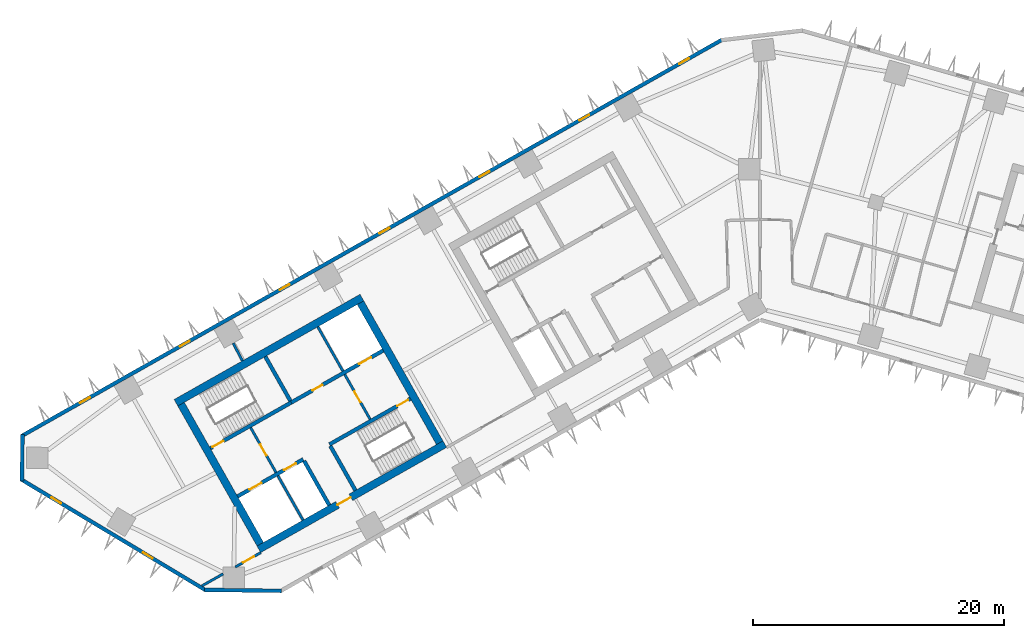
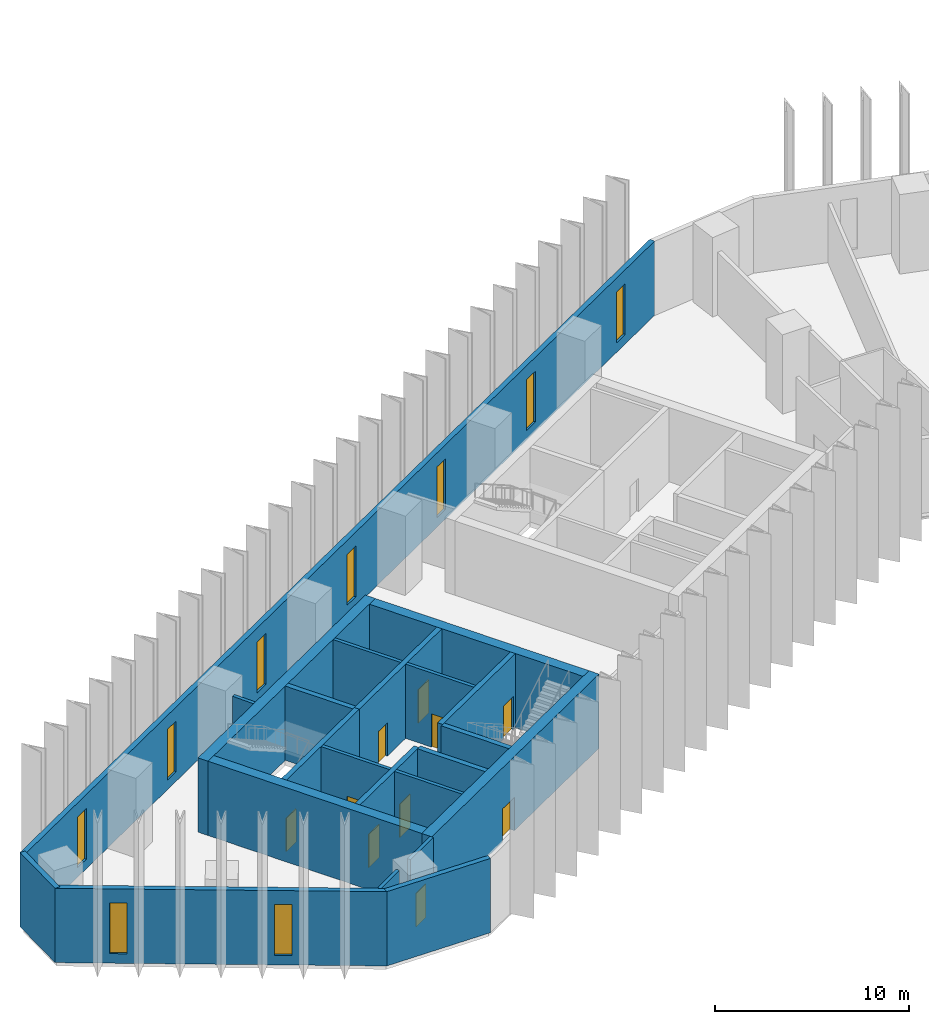
# One storey, part 3 of 11: 22 walls, 10 doors, 9 windows, 19 openings.
"""IFC4 building model written with IfcOpenShell, lengths in metres."""

from ifc_helpers import new_model, si_unit, direction, frame, frame_2d, origin, place, context, subcontext, project, spatial, rectangle, extrude, material, layer, layer_set, type_object, element, fill, save


model = new_model("IFC4")

# Units and contexts
model_context = context("Model", 3, precision=1e-05, world=origin(), true_north=direction((0.0, 1.0)))
body_context = subcontext(model_context, "Body", "Model", "MODEL_VIEW")
ifc_project = project(units=[si_unit("LENGTHUNIT", "METRE"), si_unit("AREAUNIT", "SQUARE_METRE"), si_unit("VOLUMEUNIT", "CUBIC_METRE"), si_unit("PLANEANGLEUNIT", "RADIAN"), si_unit("MASSUNIT", "GRAM", prefix="KILO")], contexts=[model_context])

# Site, building, storey
site_placement = place(None, origin())
site = spatial("IfcSite", under=ifc_project, at=site_placement, CompositionType="ELEMENT")
building_placement = place(site_placement, origin())
building = spatial("IfcBuilding", under=site, at=building_placement, Name="Binnacle Exchange Tower", CompositionType="ELEMENT")
storey_placement = place(building_placement, frame((0.0, 0.0, 76.5)))
storey = spatial("IfcBuildingStorey", under=building, at=storey_placement, Name="L15", CompositionType="ELEMENT", Elevation=76.5)

# Wall, openings, doors
ifc_material_1 = material(Name="Concrete C70/85", Category="concrete")
ifc_layer_1 = layer(ifc_material_1, 0.300048828125)
ifc_layer_set_1 = layer_set([ifc_layer_1], Name="Core wall - front 300")
wall_type_1 = type_object("IfcWallType", Name="Core wall - front 300", PredefinedType="SOLIDWALL", material=ifc_layer_set_1)
wall_1_placement = place(storey_placement, frame((-41.555908203125, 33.9609375, 0.0), z_axis=(0.0, 0.0, 1.0), x_axis=(0.870343731308, 0.492444706919, 0.0)))
wall_1 = element("IfcWall", 1, at=wall_1_placement, inside=storey, type_object=wall_type_1, Name="Core wall CRWA2", PredefinedType="SOLIDWALL", context=body_context, shape_type="SweptSolid", body=[
    extrude(rectangle(XDim=5.999755859375, YDim=0.300048828125, at=frame_2d((3.0, 0.0))), origin(), (0.0, 0.0, 1.0), 4.679931640625),
])
opening_1_placement = place(wall_1_placement, frame((1.099853515625, 0.0, 0.0)))
opening_1 = element("IfcOpeningElement", 2, at=opening_1_placement, cuts=wall_1, Name="Opening LD12", PredefinedType="OPENING", context=body_context, shape_type="SweptSolid", body=[
    extrude(rectangle(XDim=1.10009765625, YDim=2.10009765625, at=frame_2d((0.550048828125, 1.050048828125))), frame((0.0, 0.159912109375, 0.0), z_axis=(0.0, -1.0, 0.0), x_axis=(1.0, 0.0, 0.0)), (0.0, 0.0, 1.0), 0.320068359375),
])
opening_2_placement = place(wall_1_placement, frame((4.25, 0.0, 0.0)))
opening_2 = element("IfcOpeningElement", 3, at=opening_2_placement, cuts=wall_1, Name="Opening LD8", PredefinedType="OPENING", context=body_context, shape_type="SweptSolid", body=[
    extrude(rectangle(XDim=1.10009765625, YDim=2.10009765625, at=frame_2d((0.550048828125, 1.050048828125))), frame((0.0, 0.159912109375, 0.0), z_axis=(0.0, -1.0, 0.0), x_axis=(1.0, 0.0, 0.0)), (0.0, 0.0, 1.0), 0.320068359375),
])
ifc_material_2 = material(Name="Steel door leaf", Category="steel")
door_type_1 = type_object("IfcDoorType", Name="Fire door - lift landing 1100", OperationType="NOTDEFINED", PredefinedType="DOOR", material=ifc_material_2)
door_1_placement = place(opening_1_placement, origin())
door_1 = element("IfcDoor", 4, at=door_1_placement, inside=storey, type_object=door_type_1, Name="Landing door LD12 L15", OperationType="DOUBLE_DOOR_SLIDING", OverallHeight=2.10009765625, OverallWidth=1.10009765625, PredefinedType="DOOR", context=body_context, shape_type="SweptSolid", body=[
    extrude(rectangle(XDim=1.10009765625, YDim=2.10009765625, at=frame_2d((0.550048828125, 1.050048828125))), frame((0.0, 0.02490234375, 0.0), z_axis=(0.0, -1.0, 0.0), x_axis=(1.0, 0.0, 0.0)), (0.0, 0.0, 1.0), 0.050048828125),
])
fill(opening_1, door_1)
door_2_placement = place(opening_2_placement, origin())
door_2 = element("IfcDoor", 5, at=door_2_placement, inside=storey, type_object=door_type_1, Name="Landing door LD8 L15", OperationType="DOUBLE_DOOR_SLIDING", OverallHeight=2.10009765625, OverallWidth=1.10009765625, PredefinedType="DOOR", context=body_context, shape_type="SweptSolid", body=[
    extrude(rectangle(XDim=1.10009765625, YDim=2.10009765625, at=frame_2d((0.550048828125, 1.050048828125))), frame((0.0, 0.02490234375, 0.0), z_axis=(0.0, -1.0, 0.0), x_axis=(1.0, 0.0, 0.0)), (0.0, 0.0, 1.0), 0.050048828125),
])
fill(opening_2, door_2)

wall_2_placement = place(storey_placement, frame((-37.281982421875, 41.4345703125, 0.0), z_axis=(0.0, 0.0, 1.0), x_axis=(0.870356516133, 0.492422110414, 0.0)))
wall_2 = element("IfcWall", 6, at=wall_2_placement, inside=storey, type_object=wall_type_1, Name="Core wall CRWA5", PredefinedType="SOLIDWALL", context=body_context, shape_type="SweptSolid", body=[
    extrude(rectangle(XDim=8.399658203125, YDim=0.300048828125, at=frame_2d((4.19970703125, 0.0))), origin(), (0.0, 0.0, 1.0), 4.679931640625),
])
opening_3_placement = place(wall_2_placement, frame((6.199951171875, 0.0, 0.0)))
opening_3 = element("IfcOpeningElement", 7, at=opening_3_placement, cuts=wall_2, Name="Opening LD13", PredefinedType="OPENING", context=body_context, shape_type="SweptSolid", body=[
    extrude(rectangle(XDim=1.10009765625, YDim=2.10009765625, at=frame_2d((0.550048828125, 1.050048828125))), frame((0.0, 0.159912109375, 0.0), z_axis=(0.0, -1.0, 0.0), x_axis=(1.0, 0.0, 0.0)), (0.0, 0.0, 1.0), 0.320068359375),
])
opening_4_placement = place(wall_2_placement, frame((1.949951171875, 0.0, 0.0)))
opening_4 = element("IfcOpeningElement", 8, at=opening_4_placement, cuts=wall_2, Name="Opening DA10", PredefinedType="OPENING", context=body_context, shape_type="SweptSolid", body=[
    extrude(rectangle(XDim=0.89990234375, YDim=2.10009765625, at=frame_2d((0.449951171875, 1.050048828125))), frame((0.0, 0.159912109375, 0.0), z_axis=(0.0, -1.0, 0.0), x_axis=(1.0, 0.0, 0.0)), (0.0, 0.0, 1.0), 0.320068359375),
])
door_3_placement = place(opening_3_placement, origin())
door_3 = element("IfcDoor", 9, at=door_3_placement, inside=storey, type_object=door_type_1, Name="Landing door LD13 L15", OperationType="DOUBLE_DOOR_SLIDING", OverallHeight=2.10009765625, OverallWidth=1.10009765625, PredefinedType="DOOR", context=body_context, shape_type="SweptSolid", body=[
    extrude(rectangle(XDim=1.10009765625, YDim=2.10009765625, at=frame_2d((0.550048828125, 1.050048828125))), frame((0.0, 0.02490234375, 0.0), z_axis=(0.0, -1.0, 0.0), x_axis=(1.0, 0.0, 0.0)), (0.0, 0.0, 1.0), 0.050048828125),
])
fill(opening_3, door_3)
door_type_2 = type_object("IfcDoorType", Name="Fire door 900", OperationType="NOTDEFINED", PredefinedType="DOOR", material=ifc_material_2)
door_4_placement = place(opening_4_placement, origin())
door_4 = element("IfcDoor", 10, at=door_4_placement, inside=storey, type_object=door_type_2, Name="Core room door TELECOM RISER ROOM", OperationType="SINGLE_SWING_LEFT", OverallHeight=2.10009765625, OverallWidth=0.89990234375, PredefinedType="DOOR", context=body_context, shape_type="SweptSolid", body=[
    extrude(rectangle(XDim=0.89990234375, YDim=2.10009765625, at=frame_2d((0.449951171875, 1.050048828125))), frame((0.0, 0.02490234375, 0.0), z_axis=(0.0, -1.0, 0.0), x_axis=(1.0, 0.0, 0.0)), (0.0, 0.0, 1.0), 0.050048828125),
])
fill(opening_4, door_4)

# Wall
wall_3_placement = place(storey_placement, frame((-36.260009765625, 36.784912109375, 0.0), z_axis=(0.0, 0.0, 1.0), x_axis=(0.492440575896, -0.870346068648, 0.0)))
element("IfcWall", 11, at=wall_3_placement, inside=storey, type_object=wall_type_1, Name="Core wall CRWA13", PredefinedType="SOLIDWALL", context=body_context, shape_type="SweptSolid", body=[
    extrude(rectangle(XDim=4.050048828125, YDim=0.300048828125, at=frame_2d((2.02490234375, 0.0))), origin(), (0.0, 0.0, 1.0), 4.679931640625),
])

# Wall, opening, door
ifc_layer_2 = layer(ifc_material_1, 0.60009765625)
ifc_layer_set_2 = layer_set([ifc_layer_2], Name="Core wall - outer 600")
wall_type_2 = type_object("IfcWallType", Name="Core wall - outer 600", PredefinedType="SOLIDWALL", material=ifc_layer_set_2)
wall_4_placement = place(storey_placement, frame((-39.8623046875, 29.748779296875, 0.0), z_axis=(0.0, 0.0, 1.0), x_axis=(0.870350116061, 0.492433422375, 0.0)))
wall_4 = element("IfcWall", 12, at=wall_4_placement, inside=storey, type_object=wall_type_2, Name="Core wall CRWA1", PredefinedType="SOLIDWALL", context=body_context, shape_type="SweptSolid", body=[
    extrude(rectangle(XDim=17.0, YDim=0.60009765625, at=frame_2d((8.5, 0.0))), origin(), (0.0, 0.0, 1.0), 4.679931640625),
])
opening_5_placement = place(wall_4_placement, frame((7.199951171875, 0.0, 0.0)))
opening_5 = element("IfcOpeningElement", 13, at=opening_5_placement, cuts=wall_4, Name="Opening DA7", PredefinedType="OPENING", context=body_context, shape_type="SweptSolid", body=[
    extrude(rectangle(XDim=1.199951171875, YDim=2.10009765625, at=frame_2d((0.60009765625, 1.050048828125))), frame((0.0, 0.31005859375, 0.0), z_axis=(0.0, -1.0, 0.0), x_axis=(1.0, 0.0, 0.0)), (0.0, 0.0, 1.0), 0.6201171875),
])
door_type_3 = type_object("IfcDoorType", Name="Fire door 1200", OperationType="NOTDEFINED", PredefinedType="DOOR", material=ifc_material_2)
door_5_placement = place(opening_5_placement, frame((1.199951171875, 0.0, 0.0), z_axis=(0.0, 0.0, 1.0), x_axis=(-1.0, 0.0, 0.0)))
door_5 = element("IfcDoor", 14, at=door_5_placement, inside=storey, type_object=door_type_3, Name="Lift lobby entrance door core A", OperationType="SINGLE_SWING_RIGHT", OverallHeight=2.10009765625, OverallWidth=1.199951171875, PredefinedType="DOOR", context=body_context, shape_type="SweptSolid", body=[
    extrude(rectangle(XDim=1.199951171875, YDim=2.10009765625, at=frame_2d((0.60009765625, 1.050048828125))), frame((0.0, 0.02490234375, 0.0), z_axis=(0.0, -1.0, 0.0), x_axis=(1.0, 0.0, 0.0)), (0.0, 0.0, 1.0), 0.050048828125),
])
fill(opening_5, door_5)

# Walls
wall_5_placement = place(storey_placement, frame((-46.460693359375, 41.41162109375, 0.0), z_axis=(0.0, 0.0, 1.0), x_axis=(0.870350116061, 0.492433422375, 0.0)))
element("IfcWall", 15, at=wall_5_placement, inside=storey, type_object=wall_type_2, Name="Core wall CRWA6", PredefinedType="SOLIDWALL", context=body_context, shape_type="SweptSolid", body=[
    extrude(rectangle(XDim=17.0, YDim=0.60009765625, at=frame_2d((8.5, 0.0))), origin(), (0.0, 0.0, 1.0), 4.679931640625),
])
for number, where, z_axis, x_axis, name in (
    (16, (-46.052001953125, 41.29833984375, 0.0), (0.0, 0.0, 1.0), (0.492418598281, -0.870358503186, 0.0), "Core wall CRWA7"),
    (17, (-31.7783203125, 49.3740234375, 0.0), (0.0, 0.0, 1.0), (0.492433046652, -0.870350328641, 0.0), "Core wall CRWA22"),
):
    element("IfcWall", number, at=place(storey_placement, frame(where, z_axis=z_axis, x_axis=x_axis)), inside=storey, type_object=wall_type_2, Name=name, PredefinedType="SOLIDWALL", context=body_context, shape_type="SweptSolid", body=[
        extrude(rectangle(XDim=12.800048828125, YDim=0.60009765625, at=frame_2d((6.39990234375, 0.0))), origin(), (0.0, 0.0, 1.0), 4.679931640625),
    ])

# Wall, opening, door
ifc_layer_3 = layer(ifc_material_1, 0.300048828125)
ifc_layer_set_3 = layer_set([ifc_layer_3], Name="Core wall - stair 300")
wall_type_3 = type_object("IfcWallType", Name="Core wall - stair 300", PredefinedType="SOLIDWALL", material=ifc_layer_set_3)
wall_6_placement = place(storey_placement, frame((-34.2451171875, 38.097412109375, 0.0), z_axis=(0.0, 0.0, 1.0), x_axis=(0.870364910201, 0.492407273597, 0.0)))
wall_6 = element("IfcWall", 18, at=wall_6_placement, inside=storey, type_object=wall_type_3, Name="Core wall CRWA3", PredefinedType="SOLIDWALL", context=body_context, shape_type="SweptSolid", body=[
    extrude(rectangle(XDim=7.39990234375, YDim=0.300048828125, at=frame_2d((3.699951171875, 0.0))), origin(), (0.0, 0.0, 1.0), 4.679931640625),
])
opening_6_placement = place(wall_6_placement, frame((6.199951171875, 0.0, 0.0)))
opening_6 = element("IfcOpeningElement", 19, at=opening_6_placement, cuts=wall_6, Name="Opening DA2", PredefinedType="OPENING", context=body_context, shape_type="SweptSolid", body=[
    extrude(rectangle(XDim=1.0, YDim=2.10009765625, at=frame_2d((0.5, 1.050048828125))), frame((0.0, 0.159912109375, 0.0), z_axis=(0.0, -1.0, 0.0), x_axis=(1.0, 0.0, 0.0)), (0.0, 0.0, 1.0), 0.320068359375),
])
door_type_4 = type_object("IfcDoorType", Name="Fire door 1000", OperationType="NOTDEFINED", PredefinedType="DOOR", material=ifc_material_2)
door_6_placement = place(opening_6_placement, frame((1.0, 0.0, 0.0), z_axis=(0.0, 0.0, 1.0), x_axis=(-1.0, 0.0, 0.0)))
door_6 = element("IfcDoor", 20, at=door_6_placement, inside=storey, type_object=door_type_4, Name="Stair door ST-A2", OperationType="SINGLE_SWING_LEFT", OverallHeight=2.10009765625, OverallWidth=1.0, PredefinedType="DOOR", context=body_context, shape_type="SweptSolid", body=[
    extrude(rectangle(XDim=1.0, YDim=2.10009765625, at=frame_2d((0.5, 1.050048828125))), frame((0.0, 0.02490234375, 0.0), z_axis=(0.0, -1.0, 0.0), x_axis=(1.0, 0.0, 0.0)), (0.0, 0.0, 1.0), 0.050048828125),
])
fill(opening_6, door_6)

wall_7_placement = place(storey_placement, frame((-43.72265625, 37.79052734375, 0.0), z_axis=(0.0, 0.0, 1.0), x_axis=(0.87035077051, 0.49243226567, 0.0)))
wall_7 = element("IfcWall", 21, at=wall_7_placement, inside=storey, type_object=wall_type_3, Name="Core wall CRWA4", PredefinedType="SOLIDWALL", context=body_context, shape_type="SweptSolid", body=[
    extrude(rectangle(XDim=7.400146484375, YDim=0.300048828125, at=frame_2d((3.7001953125, 0.0))), origin(), (0.0, 0.0, 1.0), 4.679931640625),
])
opening_7_placement = place(wall_7_placement, frame((0.199951171875, 0.0, 0.0)))
opening_7 = element("IfcOpeningElement", 22, at=opening_7_placement, cuts=wall_7, Name="Opening DA1", PredefinedType="OPENING", context=body_context, shape_type="SweptSolid", body=[
    extrude(rectangle(XDim=1.0, YDim=2.10009765625, at=frame_2d((0.5, 1.050048828125))), frame((0.0, 0.159912109375, 0.0), z_axis=(0.0, -1.0, 0.0), x_axis=(1.0, 0.0, 0.0)), (0.0, 0.0, 1.0), 0.320068359375),
])
door_7_placement = place(opening_7_placement, origin())
door_7 = element("IfcDoor", 23, at=door_7_placement, inside=storey, type_object=door_type_4, Name="Stair door ST-A1", OperationType="SINGLE_SWING_LEFT", OverallHeight=2.10009765625, OverallWidth=1.0, PredefinedType="DOOR", context=body_context, shape_type="SweptSolid", body=[
    extrude(rectangle(XDim=1.0, YDim=2.10009765625, at=frame_2d((0.5, 1.050048828125))), frame((0.0, 0.02490234375, 0.0), z_axis=(0.0, -1.0, 0.0), x_axis=(1.0, 0.0, 0.0)), (0.0, 0.0, 1.0), 0.050048828125),
])
fill(opening_7, door_7)

# Walls
wall_8_placement = place(storey_placement, frame((-39.350341796875, 45.090087890625, 0.0), z_axis=(0.0, 0.0, 1.0), x_axis=(0.49241474071, -0.870360685654, 0.0)))
element("IfcWall", 24, at=wall_8_placement, inside=storey, type_object=wall_type_3, Name="Core wall CRWA14", PredefinedType="SOLIDWALL", context=body_context, shape_type="SweptSolid", body=[
    extrude(rectangle(XDim=4.05029296875, YDim=0.300048828125, at=frame_2d((2.025146484375, 0.0))), origin(), (0.0, 0.0, 1.0), 4.679931640625),
])
wall_9_placement = place(storey_placement, frame((-34.171142578125, 37.966796875, 0.0), z_axis=(0.0, 0.0, 1.0), x_axis=(0.492394910396, -0.870371904542, 0.0)))
element("IfcWall", 25, at=wall_9_placement, inside=storey, type_object=wall_type_3, Name="Core wall CRWA16", PredefinedType="SOLIDWALL", context=body_context, shape_type="SweptSolid", body=[
    extrude(rectangle(XDim=4.0498046875, YDim=0.300048828125, at=frame_2d((2.02490234375, 0.0))), origin(), (0.0, 0.0, 1.0), 4.679931640625),
])

# Wall, openings, windows
ifc_material_3 = material(Name="Bronze aluminium cladding", Category="aluminium")
ifc_layer_4 = layer(ifc_material_3, 0.300048828125)
ifc_layer_set_4 = layer_set([ifc_layer_4], Name="External wall - spandrel 300")
wall_type_4 = type_object("IfcWallType", Name="External wall - spandrel 300", PredefinedType="STANDARD", material=ifc_layer_set_4)
wall_10_placement = place(storey_placement, frame((-58.744873046875, 38.763671875, 0.0), z_axis=(0.0, 0.0, 1.0), x_axis=(0.870355811726, 0.492423355453, 0.0)))
wall_10 = element("IfcWall", 26, at=wall_10_placement, inside=storey, type_object=wall_type_4, Name="External wall EW-F03 L15", PredefinedType="STANDARD", context=body_context, shape_type="SweptSolid", body=[
    extrude(rectangle(XDim=64.025390625, YDim=0.300048828125, at=frame_2d((32.0126953125, 0.0))), origin(), (0.0, 0.0, 1.0), 4.679931640625),
])
opening_8_placement = place(wall_10_placement, frame((60.12158203125, 0.0, 0.60009765625)))
opening_8 = element("IfcOpeningElement", 27, at=opening_8_placement, cuts=wall_10, Name="Opening WS1", PredefinedType="OPENING", context=body_context, shape_type="SweptSolid", body=[
    extrude(rectangle(XDim=0.89990234375, YDim=3.199951171875, at=frame_2d((0.449951171875, 1.60009765625))), frame((0.0, 0.159912109375, 0.0), z_axis=(0.0, -1.0, 0.0), x_axis=(1.0, 0.0, 0.0)), (0.0, 0.0, 1.0), 0.320068359375),
])
opening_9_placement = place(wall_10_placement, frame((50.99169921875, 0.0, 0.60009765625)))
opening_9 = element("IfcOpeningElement", 28, at=opening_9_placement, cuts=wall_10, Name="Opening WS1", PredefinedType="OPENING", context=body_context, shape_type="SweptSolid", body=[
    extrude(rectangle(XDim=0.89990234375, YDim=3.199951171875, at=frame_2d((0.449951171875, 1.60009765625))), frame((0.0, 0.159912109375, 0.0), z_axis=(0.0, -1.0, 0.0), x_axis=(1.0, 0.0, 0.0)), (0.0, 0.0, 1.0), 0.320068359375),
])
opening_10_placement = place(wall_10_placement, frame((41.86181640625, 0.0, 0.60009765625)))
opening_10 = element("IfcOpeningElement", 29, at=opening_10_placement, cuts=wall_10, Name="Opening WS1", PredefinedType="OPENING", context=body_context, shape_type="SweptSolid", body=[
    extrude(rectangle(XDim=0.89990234375, YDim=3.199951171875, at=frame_2d((0.449951171875, 1.60009765625))), frame((0.0, 0.159912109375, 0.0), z_axis=(0.0, -1.0, 0.0), x_axis=(1.0, 0.0, 0.0)), (0.0, 0.0, 1.0), 0.320068359375),
])
opening_11_placement = place(wall_10_placement, frame((32.73193359375, 0.0, 0.60009765625)))
opening_11 = element("IfcOpeningElement", 30, at=opening_11_placement, cuts=wall_10, Name="Opening WS1", PredefinedType="OPENING", context=body_context, shape_type="SweptSolid", body=[
    extrude(rectangle(XDim=0.89990234375, YDim=3.199951171875, at=frame_2d((0.449951171875, 1.60009765625))), frame((0.0, 0.159912109375, 0.0), z_axis=(0.0, -1.0, 0.0), x_axis=(1.0, 0.0, 0.0)), (0.0, 0.0, 1.0), 0.320068359375),
])
opening_12_placement = place(wall_10_placement, frame((23.60205078125, 0.0, 0.60009765625)))
opening_12 = element("IfcOpeningElement", 31, at=opening_12_placement, cuts=wall_10, Name="Opening WS1", PredefinedType="OPENING", context=body_context, shape_type="SweptSolid", body=[
    extrude(rectangle(XDim=0.89990234375, YDim=3.199951171875, at=frame_2d((0.449951171875, 1.60009765625))), frame((0.0, 0.159912109375, 0.0), z_axis=(0.0, -1.0, 0.0), x_axis=(1.0, 0.0, 0.0)), (0.0, 0.0, 1.0), 0.320068359375),
])
opening_13_placement = place(wall_10_placement, frame((14.47216796875, 0.0, 0.60009765625)))
opening_13 = element("IfcOpeningElement", 32, at=opening_13_placement, cuts=wall_10, Name="Opening WS1", PredefinedType="OPENING", context=body_context, shape_type="SweptSolid", body=[
    extrude(rectangle(XDim=0.89990234375, YDim=3.199951171875, at=frame_2d((0.449951171875, 1.60009765625))), frame((0.0, 0.159912109375, 0.0), z_axis=(0.0, -1.0, 0.0), x_axis=(1.0, 0.0, 0.0)), (0.0, 0.0, 1.0), 0.320068359375),
])
opening_14_placement = place(wall_10_placement, frame((5.34228515625, 0.0, 0.60009765625)))
opening_14 = element("IfcOpeningElement", 33, at=opening_14_placement, cuts=wall_10, Name="Opening WS1", PredefinedType="OPENING", context=body_context, shape_type="SweptSolid", body=[
    extrude(rectangle(XDim=0.89990234375, YDim=3.199951171875, at=frame_2d((0.449951171875, 1.60009765625))), frame((0.0, 0.159912109375, 0.0), z_axis=(0.0, -1.0, 0.0), x_axis=(1.0, 0.0, 0.0)), (0.0, 0.0, 1.0), 0.320068359375),
])
ifc_material_4 = material(Name="Bronze anodised aluminium frame", Category="aluminium")
window_type = type_object("IfcWindowType", Name="WS1 WINDOW 900x3200", PartitioningType="SINGLE_PANEL", PredefinedType="WINDOW", material=ifc_material_4)
window_1_placement = place(opening_8_placement, origin())
window_1 = element("IfcWindow", 34, at=window_1_placement, inside=storey, type_object=window_type, Name="Window WS1 L15", OverallHeight=3.199951171875, OverallWidth=0.89990234375, PartitioningType="SINGLE_PANEL", PredefinedType="WINDOW", context=body_context, shape_type="SweptSolid", body=[
    extrude(rectangle(XDim=0.89990234375, YDim=3.199951171875, at=frame_2d((0.449951171875, 1.60009765625))), frame((0.0, 0.030029296875, 0.0), z_axis=(0.0, -1.0, 0.0), x_axis=(1.0, 0.0, 0.0)), (0.0, 0.0, 1.0), 0.06005859375),
])
fill(opening_8, window_1)
window_2_placement = place(opening_9_placement, origin())
window_2 = element("IfcWindow", 35, at=window_2_placement, inside=storey, type_object=window_type, Name="Window WS1 L15", OverallHeight=3.199951171875, OverallWidth=0.89990234375, PartitioningType="SINGLE_PANEL", PredefinedType="WINDOW", context=body_context, shape_type="SweptSolid", body=[
    extrude(rectangle(XDim=0.89990234375, YDim=3.199951171875, at=frame_2d((0.449951171875, 1.60009765625))), frame((0.0, 0.030029296875, 0.0), z_axis=(0.0, -1.0, 0.0), x_axis=(1.0, 0.0, 0.0)), (0.0, 0.0, 1.0), 0.06005859375),
])
fill(opening_9, window_2)
window_3_placement = place(opening_10_placement, origin())
window_3 = element("IfcWindow", 36, at=window_3_placement, inside=storey, type_object=window_type, Name="Window WS1 L15", OverallHeight=3.199951171875, OverallWidth=0.89990234375, PartitioningType="SINGLE_PANEL", PredefinedType="WINDOW", context=body_context, shape_type="SweptSolid", body=[
    extrude(rectangle(XDim=0.89990234375, YDim=3.199951171875, at=frame_2d((0.449951171875, 1.60009765625))), frame((0.0, 0.030029296875, 0.0), z_axis=(0.0, -1.0, 0.0), x_axis=(1.0, 0.0, 0.0)), (0.0, 0.0, 1.0), 0.06005859375),
])
fill(opening_10, window_3)
window_4_placement = place(opening_11_placement, origin())
window_4 = element("IfcWindow", 37, at=window_4_placement, inside=storey, type_object=window_type, Name="Window WS1 L15", OverallHeight=3.199951171875, OverallWidth=0.89990234375, PartitioningType="SINGLE_PANEL", PredefinedType="WINDOW", context=body_context, shape_type="SweptSolid", body=[
    extrude(rectangle(XDim=0.89990234375, YDim=3.199951171875, at=frame_2d((0.449951171875, 1.60009765625))), frame((0.0, 0.030029296875, 0.0), z_axis=(0.0, -1.0, 0.0), x_axis=(1.0, 0.0, 0.0)), (0.0, 0.0, 1.0), 0.06005859375),
])
fill(opening_11, window_4)
window_5_placement = place(opening_12_placement, origin())
window_5 = element("IfcWindow", 38, at=window_5_placement, inside=storey, type_object=window_type, Name="Window WS1 L15", OverallHeight=3.199951171875, OverallWidth=0.89990234375, PartitioningType="SINGLE_PANEL", PredefinedType="WINDOW", context=body_context, shape_type="SweptSolid", body=[
    extrude(rectangle(XDim=0.89990234375, YDim=3.199951171875, at=frame_2d((0.449951171875, 1.60009765625))), frame((0.0, 0.030029296875, 0.0), z_axis=(0.0, -1.0, 0.0), x_axis=(1.0, 0.0, 0.0)), (0.0, 0.0, 1.0), 0.06005859375),
])
fill(opening_12, window_5)
window_6_placement = place(opening_13_placement, origin())
window_6 = element("IfcWindow", 39, at=window_6_placement, inside=storey, type_object=window_type, Name="Window WS1 L15", OverallHeight=3.199951171875, OverallWidth=0.89990234375, PartitioningType="SINGLE_PANEL", PredefinedType="WINDOW", context=body_context, shape_type="SweptSolid", body=[
    extrude(rectangle(XDim=0.89990234375, YDim=3.199951171875, at=frame_2d((0.449951171875, 1.60009765625))), frame((0.0, 0.030029296875, 0.0), z_axis=(0.0, -1.0, 0.0), x_axis=(1.0, 0.0, 0.0)), (0.0, 0.0, 1.0), 0.06005859375),
])
fill(opening_13, window_6)
window_7_placement = place(opening_14_placement, origin())
window_7 = element("IfcWindow", 40, at=window_7_placement, inside=storey, type_object=window_type, Name="Window WS1 L15", OverallHeight=3.199951171875, OverallWidth=0.89990234375, PartitioningType="SINGLE_PANEL", PredefinedType="WINDOW", context=body_context, shape_type="SweptSolid", body=[
    extrude(rectangle(XDim=0.89990234375, YDim=3.199951171875, at=frame_2d((0.449951171875, 1.60009765625))), frame((0.0, 0.030029296875, 0.0), z_axis=(0.0, -1.0, 0.0), x_axis=(1.0, 0.0, 0.0)), (0.0, 0.0, 1.0), 0.06005859375),
])
fill(opening_14, window_7)

# Wall
wall_11_placement = place(storey_placement, frame((-58.717041015625, 35.19384765625, 0.0), z_axis=(0.0, 0.0, 1.0), x_axis=(0.013069053407, 0.999914596275, 0.0)))
element("IfcWall", 41, at=wall_11_placement, inside=storey, type_object=wall_type_4, Name="External wall EW-F04 L15", PredefinedType="STANDARD", context=body_context, shape_type="SweptSolid", body=[
    extrude(rectangle(XDim=3.69873046875, YDim=0.300048828125, at=frame_2d((1.849365234375, 0.0))), origin(), (0.0, 0.0, 1.0), 4.679931640625),
])

# Wall, openings, windows
wall_12_placement = place(storey_placement, frame((-44.109375, 26.503662109375, 0.0), z_axis=(0.0, 0.0, 1.0), x_axis=(-0.857169502585, 0.515034410344, 0.0)))
wall_12 = element("IfcWall", 42, at=wall_12_placement, inside=storey, type_object=wall_type_4, Name="External wall EW-F05 L15", PredefinedType="STANDARD", context=body_context, shape_type="SweptSolid", body=[
    extrude(rectangle(XDim=17.126708984375, YDim=0.300048828125, at=frame_2d((8.5634765625, 0.0))), origin(), (0.0, 0.0, 1.0), 4.679931640625),
])
opening_15_placement = place(wall_12_placement, frame((13.403076171875, 0.0, 0.60009765625)))
opening_15 = element("IfcOpeningElement", 43, at=opening_15_placement, cuts=wall_12, Name="Opening WS1", PredefinedType="OPENING", context=body_context, shape_type="SweptSolid", body=[
    extrude(rectangle(XDim=0.89990234375, YDim=3.199951171875, at=frame_2d((0.449951171875, 1.60009765625))), frame((0.0, 0.159912109375, 0.0), z_axis=(0.0, -1.0, 0.0), x_axis=(1.0, 0.0, 0.0)), (0.0, 0.0, 1.0), 0.320068359375),
])
opening_16_placement = place(wall_12_placement, frame((4.903076171875, 0.0, 0.60009765625)))
opening_16 = element("IfcOpeningElement", 44, at=opening_16_placement, cuts=wall_12, Name="Opening WS1", PredefinedType="OPENING", context=body_context, shape_type="SweptSolid", body=[
    extrude(rectangle(XDim=0.89990234375, YDim=3.199951171875, at=frame_2d((0.449951171875, 1.60009765625))), frame((0.0, 0.159912109375, 0.0), z_axis=(0.0, -1.0, 0.0), x_axis=(1.0, 0.0, 0.0)), (0.0, 0.0, 1.0), 0.320068359375),
])
window_8_placement = place(opening_15_placement, origin())
window_8 = element("IfcWindow", 45, at=window_8_placement, inside=storey, type_object=window_type, Name="Window WS1 L15", OverallHeight=3.199951171875, OverallWidth=0.89990234375, PartitioningType="SINGLE_PANEL", PredefinedType="WINDOW", context=body_context, shape_type="SweptSolid", body=[
    extrude(rectangle(XDim=0.89990234375, YDim=3.199951171875, at=frame_2d((0.449951171875, 1.60009765625))), frame((0.0, 0.030029296875, 0.0), z_axis=(0.0, -1.0, 0.0), x_axis=(1.0, 0.0, 0.0)), (0.0, 0.0, 1.0), 0.06005859375),
])
fill(opening_15, window_8)
window_9_placement = place(opening_16_placement, origin())
window_9 = element("IfcWindow", 46, at=window_9_placement, inside=storey, type_object=window_type, Name="Window WS1 L15", OverallHeight=3.199951171875, OverallWidth=0.89990234375, PartitioningType="SINGLE_PANEL", PredefinedType="WINDOW", context=body_context, shape_type="SweptSolid", body=[
    extrude(rectangle(XDim=0.89990234375, YDim=3.199951171875, at=frame_2d((0.449951171875, 1.60009765625))), frame((0.0, 0.030029296875, 0.0), z_axis=(0.0, -1.0, 0.0), x_axis=(1.0, 0.0, 0.0)), (0.0, 0.0, 1.0), 0.06005859375),
])
fill(opening_16, window_9)

# Walls
wall_13_placement = place(storey_placement, frame((-38.057373046875, 26.44482421875, 0.0), z_axis=(0.0, 0.0, 1.0), x_axis=(-0.999914086342, 0.013108010296, 0.0)))
element("IfcWall", 47, at=wall_13_placement, inside=storey, type_object=wall_type_4, Name="External wall EW-F06 L15", PredefinedType="STANDARD", context=body_context, shape_type="SweptSolid", body=[
    extrude(rectangle(XDim=6.127685546875, YDim=0.300048828125, at=frame_2d((3.06396484375, 0.0))), origin(), (0.0, 0.0, 1.0), 4.679931640625),
])
ifc_material_5 = material(Name="Masonry block wall", Category="masonry")
ifc_layer_5 = layer(ifc_material_5, 0.199951171875)
ifc_layer_set_5 = layer_set([ifc_layer_5], Name="Fire wall - block 200")
wall_type_5 = type_object("IfcWallType", Name="Fire wall - block 200", PredefinedType="PARTITIONING", material=ifc_layer_set_5)
wall_14_placement = place(storey_placement, frame((-44.385986328125, 26.844970703125, 0.0), z_axis=(0.0, 0.0, 1.0), x_axis=(0.870226201187, 0.492652371118, 0.0)))
element("IfcWall", 48, at=wall_14_placement, inside=storey, type_object=wall_type_5, Name="Partition W01", PredefinedType="PARTITIONING", context=body_context, shape_type="SweptSolid", body=[
    extrude(rectangle(XDim=1.9326171875, YDim=0.199951171875, at=frame_2d((0.96630859375, 0.0))), origin(), (0.0, 0.0, 1.0), 4.679931640625),
])
wall_15_placement = place(storey_placement, frame((-41.908935546875, 46.152099609375, 0.0), z_axis=(0.0, 0.0, 1.0), x_axis=(0.466755273883, -0.884386518612, 0.0)))
element("IfcWall", 49, at=wall_15_placement, inside=storey, type_object=wall_type_5, Name="Partition W02", PredefinedType="PARTITIONING", context=body_context, shape_type="SweptSolid", body=[
    extrude(rectangle(XDim=1.58544921875, YDim=0.199951171875, at=frame_2d((0.792724609375, 0.0))), origin(), (0.0, 0.0, 1.0), 4.260009765625),
])

# Wall, opening, door
wall_16_placement = place(storey_placement, frame((-41.738037109375, 28.343017578125, 0.0), z_axis=(0.0, 0.0, 1.0), x_axis=(0.870265350095, 0.492583211676, 0.0)))
wall_16 = element("IfcWall", 50, at=wall_16_placement, inside=storey, type_object=wall_type_5, Name="Partition W03", PredefinedType="PARTITIONING", context=body_context, shape_type="SweptSolid", body=[
    extrude(rectangle(XDim=2.324462890625, YDim=0.199951171875, at=frame_2d((1.162109375, 0.0))), origin(), (0.0, 0.0, 1.0), 4.679931640625),
])
opening_17_placement = place(wall_16_placement, frame((0.699951171875, 0.0, 0.0)))
opening_17 = element("IfcOpeningElement", 51, at=opening_17_placement, cuts=wall_16, Name="Opening DL14-01", PredefinedType="OPENING", context=body_context, shape_type="SweptSolid", body=[
    extrude(rectangle(XDim=1.0, YDim=2.10009765625, at=frame_2d((0.5, 1.050048828125))), frame((0.0, 0.10986328125, 0.0), z_axis=(0.0, -1.0, 0.0), x_axis=(1.0, 0.0, 0.0)), (0.0, 0.0, 1.0), 0.219970703125),
])
door_8_placement = place(opening_17_placement, origin())
door_8 = element("IfcDoor", 52, at=door_8_placement, inside=storey, type_object=door_type_4, Name="Door DL14-01", OperationType="SINGLE_SWING_RIGHT", OverallHeight=2.10009765625, OverallWidth=1.0, PredefinedType="DOOR", context=body_context, shape_type="SweptSolid", body=[
    extrude(rectangle(XDim=1.0, YDim=2.10009765625, at=frame_2d((0.5, 1.050048828125))), frame((0.0, 0.02490234375, 0.0), z_axis=(0.0, -1.0, 0.0), x_axis=(1.0, 0.0, 0.0)), (0.0, 0.0, 1.0), 0.050048828125),
])
fill(opening_17, door_8)

ifc_layer_6 = layer(ifc_material_5, 0.199951171875)
ifc_layer_set_6 = layer_set([ifc_layer_6], Name="Fire wall - vestibule 200")
wall_type_6 = type_object("IfcWallType", Name="Fire wall - vestibule 200", PredefinedType="PARTITIONING", material=ifc_layer_set_6)
wall_17_placement = place(storey_placement, frame((-40.515625, 39.4326171875, 0.0), z_axis=(0.0, 0.0, 1.0), x_axis=(0.492453559952, -0.87033872216, 0.0)))
wall_17 = element("IfcWall", 53, at=wall_17_placement, inside=storey, type_object=wall_type_6, Name="Core wall CRWA10", PredefinedType="PARTITIONING", context=body_context, shape_type="SweptSolid", body=[
    extrude(rectangle(XDim=4.099853515625, YDim=0.199951171875, at=frame_2d((2.0498046875, 0.0))), origin(), (0.0, 0.0, 1.0), 4.679931640625),
])
opening_18_placement = place(wall_17_placement, frame((1.550048828125, 0.0, 0.0)))
opening_18 = element("IfcOpeningElement", 54, at=opening_18_placement, cuts=wall_17, Name="Opening DA3", PredefinedType="OPENING", context=body_context, shape_type="SweptSolid", body=[
    extrude(rectangle(XDim=1.0, YDim=2.10009765625, at=frame_2d((0.5, 1.050048828125))), frame((0.0, 0.10986328125, 0.0), z_axis=(0.0, -1.0, 0.0), x_axis=(1.0, 0.0, 0.0)), (0.0, 0.0, 1.0), 0.219970703125),
])
door_9_placement = place(opening_18_placement, frame((1.0, 0.0, 0.0), z_axis=(0.0, 0.0, 1.0), x_axis=(-1.0, 0.0, 0.0)))
door_9 = element("IfcDoor", 55, at=door_9_placement, inside=storey, type_object=door_type_4, Name="Vestibule door VEST-W", OperationType="SINGLE_SWING_LEFT", OverallHeight=2.10009765625, OverallWidth=1.0, PredefinedType="DOOR", context=body_context, shape_type="SweptSolid", body=[
    extrude(rectangle(XDim=1.0, YDim=2.10009765625, at=frame_2d((0.5, 1.050048828125))), frame((0.0, 0.02490234375, 0.0), z_axis=(0.0, -1.0, 0.0), x_axis=(1.0, 0.0, 0.0)), (0.0, 0.0, 1.0), 0.050048828125),
])
fill(opening_18, door_9)

wall_18_placement = place(storey_placement, frame((-33.030517578125, 43.66748046875, 0.0), z_axis=(0.0, 0.0, 1.0), x_axis=(0.492408451753, -0.87036424366, 0.0)))
wall_18 = element("IfcWall", 56, at=wall_18_placement, inside=storey, type_object=wall_type_6, Name="Core wall CRWA19", PredefinedType="PARTITIONING", context=body_context, shape_type="SweptSolid", body=[
    extrude(rectangle(XDim=4.099853515625, YDim=0.199951171875, at=frame_2d((2.0498046875, 0.0))), origin(), (0.0, 0.0, 1.0), 4.679931640625),
])
opening_19_placement = place(wall_18_placement, frame((1.550048828125, 0.0, 0.0)))
opening_19 = element("IfcOpeningElement", 57, at=opening_19_placement, cuts=wall_18, Name="Opening DA4", PredefinedType="OPENING", context=body_context, shape_type="SweptSolid", body=[
    extrude(rectangle(XDim=1.0, YDim=2.10009765625, at=frame_2d((0.5, 1.050048828125))), frame((0.0, 0.10986328125, 0.0), z_axis=(0.0, -1.0, 0.0), x_axis=(1.0, 0.0, 0.0)), (0.0, 0.0, 1.0), 0.219970703125),
])
door_10_placement = place(opening_19_placement, origin())
door_10 = element("IfcDoor", 58, at=door_10_placement, inside=storey, type_object=door_type_4, Name="Vestibule door VEST-E", OperationType="SINGLE_SWING_RIGHT", OverallHeight=2.10009765625, OverallWidth=1.0, PredefinedType="DOOR", context=body_context, shape_type="SweptSolid", body=[
    extrude(rectangle(XDim=1.0, YDim=2.10009765625, at=frame_2d((0.5, 1.050048828125))), frame((0.0, 0.02490234375, 0.0), z_axis=(0.0, -1.0, 0.0), x_axis=(1.0, 0.0, 0.0)), (0.0, 0.0, 1.0), 0.050048828125),
])
fill(opening_19, door_10)

# Walls
ifc_layer_7 = layer(ifc_material_5, 0.199951171875)
ifc_layer_set_7 = layer_set([ifc_layer_7], Name="Shaft wall 200")
wall_type_7 = type_object("IfcWallType", Name="Shaft wall 200", PredefinedType="SOLIDWALL", material=ifc_layer_set_7)
wall_19_placement = place(storey_placement, frame((-38.348876953125, 35.603271484375, 0.0), z_axis=(0.0, 0.0, 1.0), x_axis=(0.49241474071, -0.870360685654, 0.0)))
element("IfcWall", 59, at=wall_19_placement, inside=storey, type_object=wall_type_7, Name="Core wall CRWA9", PredefinedType="SOLIDWALL", context=body_context, shape_type="SweptSolid", body=[
    extrude(rectangle(XDim=4.05029296875, YDim=0.199951171875, at=frame_2d((2.025146484375, 0.0))), origin(), (0.0, 0.0, 1.0), 4.679931640625),
])
wall_20_placement = place(storey_placement, frame((-35.172607421875, 47.45361328125, 0.0), z_axis=(0.0, 0.0, 1.0), x_axis=(0.492440575896, -0.870346068648, 0.0)))
element("IfcWall", 60, at=wall_20_placement, inside=storey, type_object=wall_type_7, Name="Core wall CRWA21", PredefinedType="SOLIDWALL", context=body_context, shape_type="SweptSolid", body=[
    extrude(rectangle(XDim=4.050048828125, YDim=0.199951171875, at=frame_2d((2.02490234375, 0.0))), origin(), (0.0, 0.0, 1.0), 4.679931640625),
])

save(model, "model.ifc")
